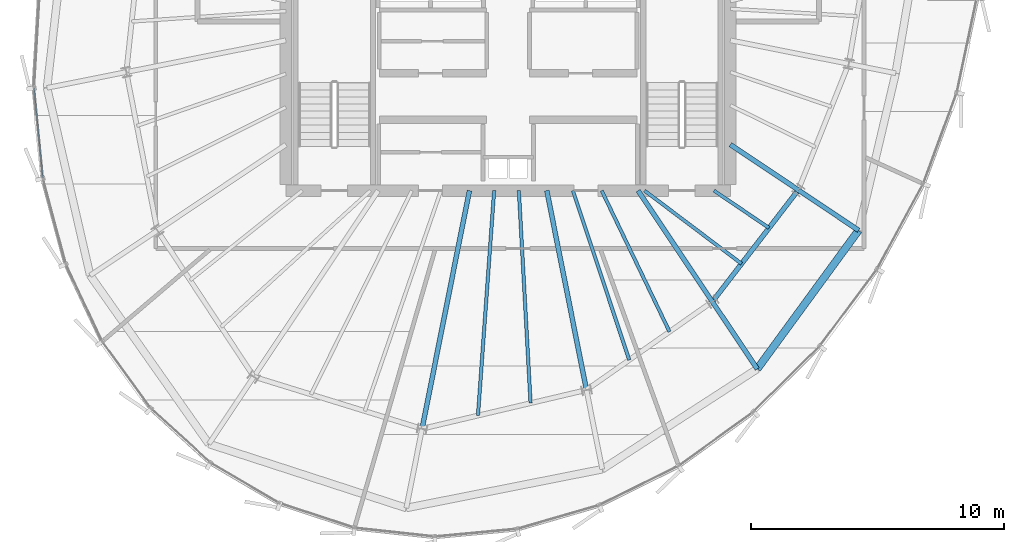
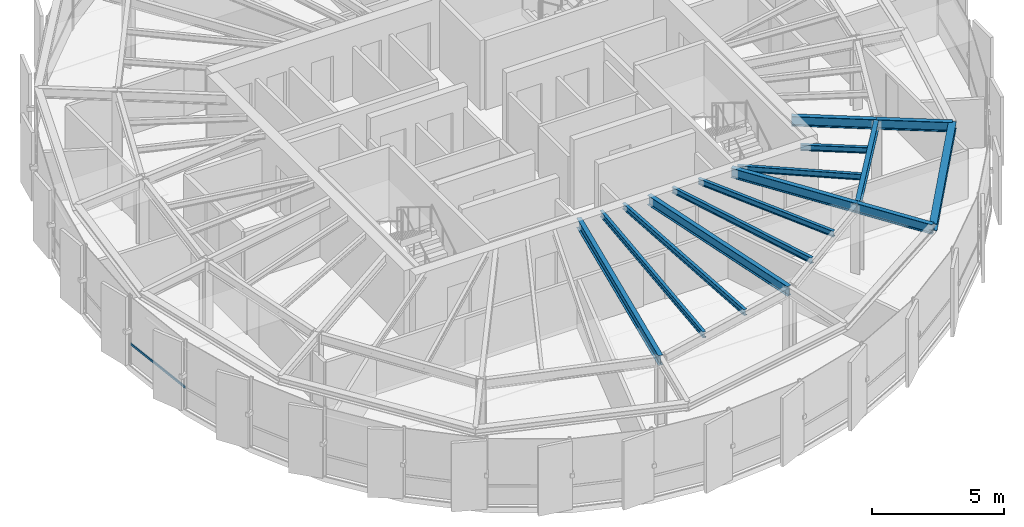
# One storey, part 8 of 30: 14 beams, 1 member, 1 element without a shape of its own.
"""IFC4 building model written with IfcOpenShell, lengths in metres."""

from ifc_helpers import new_model, si_unit, direction, frame, origin, origin_2d, place, context, subcontext, project, spatial, hollow_rectangle, i_section, extrude, source, transform, mapped, material, layer, layer_set, material_profile, profile_set, type_object, element, aggregate, save


model = new_model("IFC4")

# Units and contexts
model_context = context("Model", 3, precision=1e-05, world=origin(), true_north=direction((0.0, 1.0)))
body_context = subcontext(model_context, "Body", "Model", "MODEL_VIEW")
ifc_project = project(units=[si_unit("LENGTHUNIT", "METRE"), si_unit("AREAUNIT", "SQUARE_METRE"), si_unit("VOLUMEUNIT", "CUBIC_METRE"), si_unit("PLANEANGLEUNIT", "RADIAN"), si_unit("MASSUNIT", "GRAM", prefix="KILO"), si_unit("THERMODYNAMICTEMPERATUREUNIT", "KELVIN")], contexts=[model_context])

# Site, building, storey
site_placement = place(None, origin())
site = spatial("IfcSite", under=ifc_project, at=site_placement, CompositionType="ELEMENT")
building_placement = place(site_placement, origin())
building = spatial("IfcBuilding", under=site, at=building_placement, Name="Kethvar Cultural Tower", CompositionType="ELEMENT")
storey_placement = place(building_placement, frame((0.0, 0.0, 297.39990234375)))
storey = spatial("IfcBuildingStorey", under=building, at=storey_placement, Name="L79", CompositionType="ELEMENT", Elevation=297.39990234375)

# Beams
ifc_material_1 = material(Name="Steel S355J2", Category="steel")
ifc_material_profile_1 = material_profile(ifc_material_1, i_section(OverallWidth=0.18994140625, OverallDepth=0.449951171875, WebThickness=0.009521484375, FlangeThickness=0.0146484375, FilletRadius=0.02099609375, at=origin_2d()), Name="Steel S355J2 — IPE450")
ifc_profile_set_1 = profile_set([ifc_material_profile_1], Name="Steel S355J2 — IPE450")
beam_type_1 = type_object("IfcBeamType", Name="BM-IPE450", PredefinedType="BEAM", material=ifc_profile_set_1)
shared_shape_1 = source(origin(), body_context, "Body", "SweptSolid", [
    extrude(i_section(OverallWidth=0.18994140625, OverallDepth=0.449951171875, WebThickness=0.009521484375, FlangeThickness=0.0146484375, FilletRadius=0.02099609375, at=origin_2d()), origin(), (0.0, 0.0, 1.0), 3.199951171875),
])
beam_1_placement = place(storey_placement, frame((54.885009765625, 15.7001953125, 2.983154296875), z_axis=(0.555492222339, -0.83152173208, 0.0), x_axis=(0.83152173208, 0.555492222339, 0.0)))
element("IfcBeam", 1, at=beam_1_placement, inside=storey, type_object=beam_type_1, Name="L79 Perimeter Cantilever Beam RC-14", PredefinedType="BEAM", context=body_context, shape_type="MappedRepresentation", body=[
    mapped(shared_shape_1, transform((0.0, 0.0, 0.0), scale=1.0)),
])
shared_shape_2 = source(origin(), body_context, "Body", "SweptSolid", [
    extrude(i_section(OverallWidth=0.18994140625, OverallDepth=0.449951171875, WebThickness=0.009521484375, FlangeThickness=0.0146484375, FilletRadius=0.02099609375, at=origin_2d()), origin(), (0.0, 0.0, 1.0), 9.613525390625),
])
beam_2_placement = place(storey_placement, frame((45.268310546875, 20.10009765625, 2.983154296875), z_axis=(-0.195090428816, -0.980785259159, 0.0), x_axis=(0.980785259159, -0.195090428816, 0.0)))
element("IfcBeam", 2, at=beam_2_placement, inside=storey, type_object=beam_type_1, Name="L79 Primary Radial Beam RB-12", PredefinedType="BEAM", context=body_context, shape_type="MappedRepresentation", body=[
    mapped(shared_shape_2, transform((0.0, 0.0, 0.0), scale=1.0)),
])
shared_shape_3 = source(origin(), body_context, "Body", "SweptSolid", [
    extrude(i_section(OverallWidth=0.18994140625, OverallDepth=0.449951171875, WebThickness=0.009521484375, FlangeThickness=0.0146484375, FilletRadius=0.02099609375, at=origin_2d()), origin(), (0.0, 0.0, 1.0), 8.0478515625),
])
beam_3_placement = place(storey_placement, frame((48.33154296875, 20.10009765625, 2.983154296875), z_axis=(0.195089278796, -0.980785487912, 0.0), x_axis=(0.980785487912, 0.195089278796, 0.0)))
element("IfcBeam", 3, at=beam_3_placement, inside=storey, type_object=beam_type_1, Name="L79 Primary Radial Beam RB-13", PredefinedType="BEAM", context=body_context, shape_type="MappedRepresentation", body=[
    mapped(shared_shape_3, transform((0.0, 0.0, 0.0), scale=1.0)),
])
shared_shape_4 = source(origin(), body_context, "Body", "SweptSolid", [
    extrude(i_section(OverallWidth=0.18994140625, OverallDepth=0.449951171875, WebThickness=0.009521484375, FlangeThickness=0.0146484375, FilletRadius=0.02099609375, at=origin_2d()), origin(), (0.0, 0.0, 1.0), 5.291748046875),
])
beam_4_placement = place(storey_placement, frame((51.945068359375, 20.10009765625, 2.983154296875), z_axis=(0.555572931011, -0.831467809556, 0.0), x_axis=(0.831467809556, 0.555572931011, 0.0)))
element("IfcBeam", 4, at=beam_4_placement, inside=storey, type_object=beam_type_1, Name="L79 Primary Radial Beam RB-14", PredefinedType="BEAM", context=body_context, shape_type="MappedRepresentation", body=[
    mapped(shared_shape_4, transform((0.0, 0.0, 0.0), scale=1.0)),
])
shared_shape_5 = source(origin(), body_context, "Body", "SweptSolid", [
    extrude(i_section(OverallWidth=0.18994140625, OverallDepth=0.449951171875, WebThickness=0.009521484375, FlangeThickness=0.0146484375, FilletRadius=0.02099609375, at=origin_2d()), origin(), (0.0, 0.0, 1.0), 3.231689453125),
])
beam_5_placement = place(storey_placement, frame((55.60009765625, 21.919921875, 2.983154296875), z_axis=(0.831468708055, -0.55557158632, 0.0), x_axis=(0.55557158632, 0.831468708055, 0.0)))
element("IfcBeam", 5, at=beam_5_placement, inside=storey, type_object=beam_type_1, Name="L79 Primary Radial Beam RB-15", PredefinedType="BEAM", context=body_context, shape_type="MappedRepresentation", body=[
    mapped(shared_shape_5, transform((0.0, 0.0, 0.0), scale=1.0)),
])
ifc_material_profile_2 = material_profile(ifc_material_1, i_section(OverallWidth=0.135009765625, OverallDepth=0.27001953125, WebThickness=0.006591796875, FlangeThickness=0.01025390625, FilletRadius=0.014892578125, at=origin_2d()), Name="Steel S355J2 — IPE270")
ifc_profile_set_2 = profile_set([ifc_material_profile_2], Name="Steel S355J2 — IPE270")
beam_type_2 = type_object("IfcBeamType", Name="BM-J270", PredefinedType="JOIST", material=ifc_profile_set_2)
shared_shape_6 = source(origin(), body_context, "Body", "SweptSolid", [
    extrude(i_section(OverallWidth=0.135009765625, OverallDepth=0.27001953125, WebThickness=0.006591796875, FlangeThickness=0.01025390625, FilletRadius=0.014892578125, at=origin_2d()), origin(), (0.0, 0.0, 1.0), 8.9296875),
])
beam_6_placement = place(storey_placement, frame((46.246337890625, 20.10009765625, 3.072998046875), z_axis=(-0.071713352262, -0.99742528297, 0.0), x_axis=(0.99742528297, -0.071713352262, 0.0)))
element("IfcBeam", 6, at=beam_6_placement, inside=storey, type_object=beam_type_2, Name="L79 Composite Floor Joist J-12A", PredefinedType="JOIST", context=body_context, shape_type="MappedRepresentation", body=[
    mapped(shared_shape_6, transform((0.0, 0.0, 0.0), scale=1.0)),
])
shared_shape_7 = source(origin(), body_context, "Body", "SweptSolid", [
    extrude(i_section(OverallWidth=0.135009765625, OverallDepth=0.27001953125, WebThickness=0.006591796875, FlangeThickness=0.01025390625, FilletRadius=0.014892578125, at=origin_2d()), origin(), (0.0, 0.0, 1.0), 8.427978515625),
])
beam_7_placement = place(storey_placement, frame((47.224609375, 20.10009765625, 3.072998046875), z_axis=(0.055067321535, -0.998482643865, 0.0), x_axis=(0.998482643865, 0.055067321535, 0.0)))
element("IfcBeam", 7, at=beam_7_placement, inside=storey, type_object=beam_type_2, Name="L79 Composite Floor Joist J-12B", PredefinedType="JOIST", context=body_context, shape_type="MappedRepresentation", body=[
    mapped(shared_shape_7, transform((0.0, 0.0, 0.0), scale=1.0)),
])
shared_shape_8 = source(origin(), body_context, "Body", "SweptSolid", [
    extrude(i_section(OverallWidth=0.135009765625, OverallDepth=0.27001953125, WebThickness=0.006591796875, FlangeThickness=0.01025390625, FilletRadius=0.014892578125, at=origin_2d()), origin(), (0.0, 0.0, 1.0), 7.0673828125),
])
beam_8_placement = place(storey_placement, frame((49.363525390625, 20.10009765625, 3.072998046875), z_axis=(0.315875389768, -0.948800684095, 0.0), x_axis=(0.948800684095, 0.315875389768, 0.0)))
element("IfcBeam", 8, at=beam_8_placement, inside=storey, type_object=beam_type_2, Name="L79 Composite Floor Joist J-13A", PredefinedType="JOIST", context=body_context, shape_type="MappedRepresentation", body=[
    mapped(shared_shape_8, transform((0.0, 0.0, 0.0), scale=1.0)),
])
shared_shape_9 = source(origin(), body_context, "Body", "SweptSolid", [
    extrude(i_section(OverallWidth=0.135009765625, OverallDepth=0.27001953125, WebThickness=0.006591796875, FlangeThickness=0.01025390625, FilletRadius=0.014892578125, at=origin_2d()), origin(), (0.0, 0.0, 1.0), 6.2001953125),
])
beam_9_placement = place(storey_placement, frame((50.50341796875, 20.10009765625, 3.072998046875), z_axis=(0.433410678328, -0.901196529017, 0.0), x_axis=(0.901196529017, 0.433410678328, 0.0)))
element("IfcBeam", 9, at=beam_9_placement, inside=storey, type_object=beam_type_2, Name="L79 Composite Floor Joist J-13B", PredefinedType="JOIST", context=body_context, shape_type="MappedRepresentation", body=[
    mapped(shared_shape_9, transform((0.0, 0.0, 0.0), scale=1.0)),
])
shared_shape_10 = source(origin(), body_context, "Body", "SweptSolid", [
    extrude(i_section(OverallWidth=0.18994140625, OverallDepth=0.449951171875, WebThickness=0.009521484375, FlangeThickness=0.0146484375, FilletRadius=0.02099609375, at=origin_2d()), origin(), (0.0, 0.0, 1.0), 5.5810546875),
])
beam_10_placement = place(storey_placement, frame((54.885009765625, 15.7001953125, 2.983154296875), z_axis=(0.60957334008, 0.79272967843, 0.0), x_axis=(-0.79272967843, 0.60957334008, 0.0)))
element("IfcBeam", 10, at=beam_10_placement, inside=storey, type_object=beam_type_1, Name="L79 Column Ring Tie Beam CR-14", PredefinedType="BEAM", context=body_context, shape_type="MappedRepresentation", body=[
    mapped(shared_shape_10, transform((0.0, 0.0, 0.0), scale=1.0)),
])
shared_shape_11 = source(origin(), body_context, "Body", "SweptSolid", [
    extrude(i_section(OverallWidth=0.135009765625, OverallDepth=0.27001953125, WebThickness=0.006591796875, FlangeThickness=0.01025390625, FilletRadius=0.014892578125, at=origin_2d()), origin(), (0.0, 0.0, 1.0), 4.810791015625),
])
beam_11_placement = place(storey_placement, frame((52.199951171875, 20.10009765625, 3.072998046875), z_axis=(0.798542152732, -0.601938892505, 0.0), x_axis=(0.601938892505, 0.798542152732, 0.0)))
element("IfcBeam", 11, at=beam_11_placement, inside=storey, type_object=beam_type_2, Name="L79 Composite Floor Joist J-14A", PredefinedType="JOIST", context=body_context, shape_type="MappedRepresentation", body=[
    mapped(shared_shape_11, transform((0.0, 0.0, 0.0), scale=1.0)),
])
shared_shape_12 = source(origin(), body_context, "Body", "SweptSolid", [
    extrude(i_section(OverallWidth=0.135009765625, OverallDepth=0.27001953125, WebThickness=0.006591796875, FlangeThickness=0.01025390625, FilletRadius=0.014892578125, at=origin_2d()), origin(), (0.0, 0.0, 1.0), 2.635009765625),
])
beam_12_placement = place(storey_placement, frame((54.949951171875, 20.10009765625, 3.072998046875), z_axis=(0.827446562598, -0.561544464887, 0.0), x_axis=(0.561544464887, 0.827446562598, 0.0)))
element("IfcBeam", 12, at=beam_12_placement, inside=storey, type_object=beam_type_2, Name="L79 Composite Floor Joist J-14B", PredefinedType="JOIST", context=body_context, shape_type="MappedRepresentation", body=[
    mapped(shared_shape_12, transform((0.0, 0.0, 0.0), scale=1.0)),
])
shared_shape_13 = source(origin(), body_context, "Body", "SweptSolid", [
    extrude(i_section(OverallWidth=0.18994140625, OverallDepth=0.449951171875, WebThickness=0.009521484375, FlangeThickness=0.0146484375, FilletRadius=0.02099609375, at=origin_2d()), origin(), (0.0, 0.0, 1.0), 2.87353515625),
])
beam_13_placement = place(storey_placement, frame((58.287109375, 20.12451171875, 2.983154296875), z_axis=(0.831487834767, -0.555542960206, 0.0), x_axis=(0.555542960206, 0.831487834767, 0.0)))
element("IfcBeam", 13, at=beam_13_placement, inside=storey, type_object=beam_type_1, Name="L79 Perimeter Cantilever Beam RC-15", PredefinedType="BEAM", context=body_context, shape_type="MappedRepresentation", body=[
    mapped(shared_shape_13, transform((0.0, 0.0, 0.0), scale=1.0)),
])
ifc_material_profile_3 = material_profile(ifc_material_1, i_section(OverallWidth=0.300048828125, OverallDepth=0.320068359375, WebThickness=0.011474609375, FlangeThickness=0.0205078125, FilletRadius=0.027099609375, at=origin_2d()), Name="Steel S355J2 — HEB320")
ifc_profile_set_3 = profile_set([ifc_material_profile_3], Name="Steel S355J2 — HEB320")
beam_type_3 = type_object("IfcBeamType", Name="BM-SP320", PredefinedType="SPANDREL", material=ifc_profile_set_3)
shared_shape_14 = source(origin(), body_context, "Body", "SweptSolid", [
    extrude(i_section(OverallWidth=0.300048828125, OverallDepth=0.320068359375, WebThickness=0.011474609375, FlangeThickness=0.0205078125, FilletRadius=0.027099609375, at=origin_2d()), origin(), (0.0, 0.0, 1.0), 6.7998046875),
])
beam_14_placement = place(storey_placement, frame((56.66259765625, 13.039306640625, 3.048095703125), z_axis=(0.590293813335, 0.807188462466, 0.0), x_axis=(-0.807188462466, 0.590293813335, 0.0)))
element("IfcBeam", 14, at=beam_14_placement, inside=storey, type_object=beam_type_3, Name="L79 Perimeter Spandrel Beam SP-14", PredefinedType="SPANDREL", context=body_context, shape_type="MappedRepresentation", body=[
    mapped(shared_shape_14, transform((0.0, 0.0, 0.0), scale=1.0)),
])

# Curtain wall, member
ifc_material_2 = material(Name="Aluminium 6063-T6", Category="aluminium")
ifc_layer = layer(ifc_material_2, 0.179931640625, Name="Aluminium 6063-T6", Category="aluminium")
ifc_layer_set = layer_set([ifc_layer], Name="Aluminium 6063-T6 (180 mm)")
curtain_wall_type = type_object("IfcCurtainWallType", Name="CW-SYS-05-Z56", PredefinedType="NOTDEFINED", material=ifc_layer_set)
curtain_wall_placement = place(storey_placement, origin())
curtain_wall = element("IfcCurtainWall", 15, at=curtain_wall_placement, inside=storey, type_object=curtain_wall_type, Name="L79 Curtain Wall Run 03", PredefinedType="NOTDEFINED")
ifc_material_profile_4 = material_profile(ifc_material_2, hollow_rectangle(XDim=0.050048828125, YDim=0.10009765625, WallThickness=0.00390625, at=origin_2d()), Name="Aluminium 6063-T6 — RHS100x50x4")
ifc_profile_set_4 = profile_set([ifc_material_profile_4], Name="Aluminium 6063-T6 — RHS100x50x4")
member_type = type_object("IfcMemberType", Name="CW-SYS-05-Z56-TRN", PredefinedType="USERDEFINED", material=ifc_profile_set_4)
shared_shape_15 = source(origin(), body_context, "Body", "SweptSolid", [
    extrude(hollow_rectangle(XDim=0.050048828125, YDim=0.10009765625, WallThickness=0.00390625, at=origin_2d()), origin(), (0.0, 0.0, 1.0), 3.563232421875),
])
member_placement = place(storey_placement, frame((28.035888671875, 24.15185546875, 0.9501953125), z_axis=(0.096816881748, -0.995302211094, 0.0), x_axis=(0.995302211094, 0.096816881748, 0.0)))
member = element("IfcMember", 16, at=member_placement, type_object=member_type, Name="CW-L79-R03 Transom 1", ObjectType="TRANSOM", PredefinedType="USERDEFINED", context=body_context, shape_type="MappedRepresentation", body=[
    mapped(shared_shape_15, transform((0.0, 0.0, 0.0), scale=1.0)),
])
aggregate(curtain_wall, [member])

save(model, "model.ifc")
